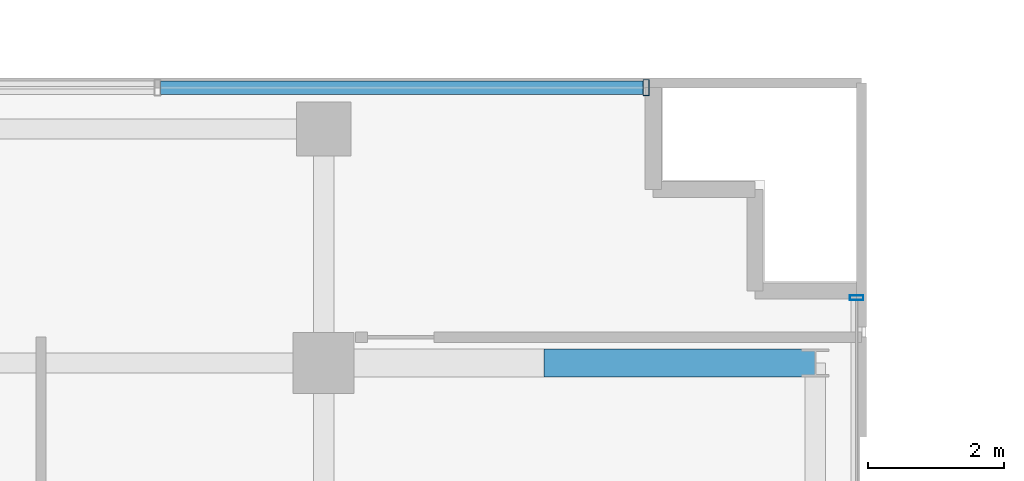
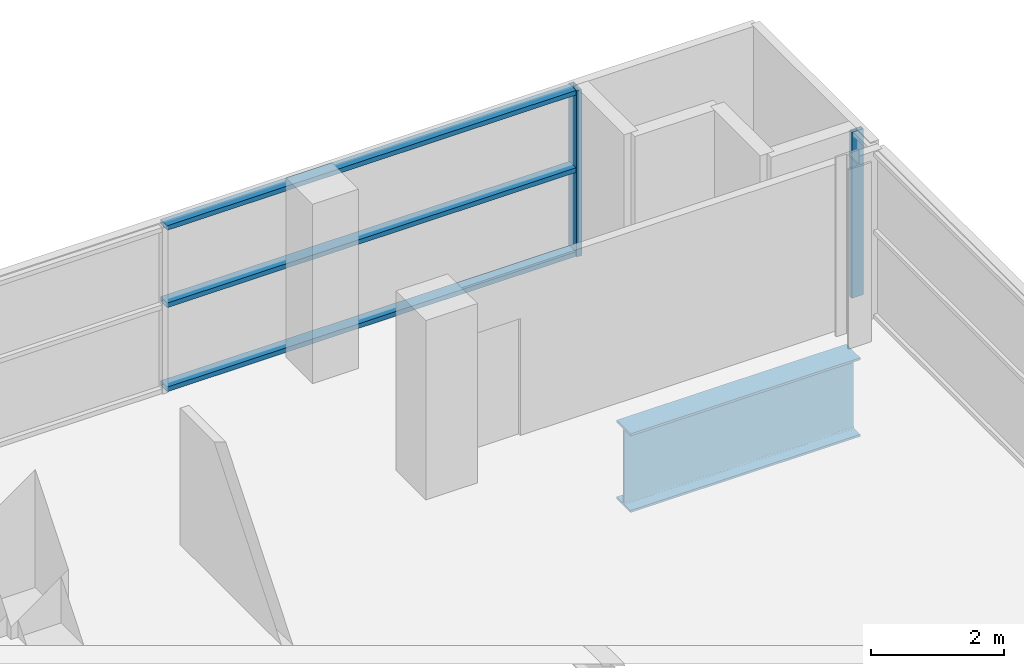
# One storey, part 16 of 27: 5 members, 1 beam, 2 elements without a shape of their own.
"""IFC4 building model written with IfcOpenShell, lengths in metres."""

from ifc_helpers import new_model, si_unit, direction, frame, origin, origin_2d, place, context, subcontext, project, spatial, hollow_rectangle, i_section, extrude, source, transform, mapped, material, layer, layer_set, material_profile, profile_set, type_object, element, aggregate, save


model = new_model("IFC4")

# Units and contexts
model_context = context("Model", 3, precision=1e-05, world=origin(), true_north=direction((0.0, 1.0)))
body_context = subcontext(model_context, "Body", "Model", "MODEL_VIEW")
ifc_project = project(units=[si_unit("LENGTHUNIT", "METRE"), si_unit("AREAUNIT", "SQUARE_METRE"), si_unit("VOLUMEUNIT", "CUBIC_METRE"), si_unit("PLANEANGLEUNIT", "RADIAN"), si_unit("MASSUNIT", "GRAM", prefix="KILO")], contexts=[model_context])

# Site, building, storey
site_placement = place(None, origin())
site = spatial("IfcSite", under=ifc_project, at=site_placement, CompositionType="ELEMENT")
building_placement = place(site_placement, origin())
building = spatial("IfcBuilding", under=site, at=building_placement, Name="Zarnakvel Exchange Tower", CompositionType="ELEMENT")
storey_placement = place(building_placement, frame((0.0, 0.0, 113.199951171875)))
storey = spatial("IfcBuildingStorey", under=building, at=storey_placement, Name="L31", CompositionType="ELEMENT", Elevation=113.199951171875)

# Beam
ifc_material_1 = material(Name="Steel S460", Category="steel")
ifc_material_profile_1 = material_profile(ifc_material_1, i_section(OverallWidth=0.419921875, OverallDepth=1.449951171875, WebThickness=0.02392578125, FlangeThickness=0.0400390625, FilletRadius=0.030029296875, at=origin_2d()))
ifc_profile_set_1 = profile_set([ifc_material_profile_1], Name="Steel S460")
beam_type = type_object("IfcBeamType", Name="TG-01", PredefinedType="BEAM", material=ifc_profile_set_1)
beam_placement = place(storey_placement, frame((24.85009765625, 13.5, -0.949951171875), z_axis=(1.0, 0.0, 0.0), x_axis=(0.0, 1.0, 0.0)))
element("IfcBeam", 1, at=beam_placement, inside=storey, type_object=beam_type, Name="L31 Block-Shift Cantilever Transfer TE-F", PredefinedType="BEAM", context=body_context, shape_type="SweptSolid", body=[
    extrude(i_section(OverallWidth=0.419921875, OverallDepth=1.449951171875, WebThickness=0.02392578125, FlangeThickness=0.0400390625, FilletRadius=0.030029296875, at=origin_2d()), origin(), (0.0, 0.0, 1.0), 4.0),
])

# Curtain wall, member
ifc_material_2 = material(Name="Architectural Bronze Anodised Aluminium", Category="aluminium")
ifc_layer_1 = layer(ifc_material_2, 0.239990234375)
ifc_layer_set_1 = layer_set([ifc_layer_1], Name="Architectural Bronze Anodised Aluminium")
curtain_wall_type_1 = type_object("IfcCurtainWallType", Name="CW-02", PredefinedType="NOTDEFINED", material=ifc_layer_set_1)
curtain_wall_1_placement = place(storey_placement, origin())
curtain_wall_1 = element("IfcCurtainWall", 2, at=curtain_wall_1_placement, inside=storey, type_object=curtain_wall_type_1, Name="L31 Curtain Wall CW-L31-N1 (CW-02)", PredefinedType="NOTDEFINED")
ifc_material_profile_2 = material_profile(ifc_material_2, hollow_rectangle(XDim=0.239990234375, YDim=0.090087890625, WallThickness=0.006103515625, at=origin_2d()))
ifc_profile_set_2 = profile_set([ifc_material_profile_2], Name="Architectural Bronze Anodised Aluminium")
member_type_1 = type_object("IfcMemberType", Name="CWM-02", PredefinedType="MULLION", material=ifc_profile_set_2)
shared_shape_1 = source(origin(), body_context, "Body", "SweptSolid", [
    extrude(hollow_rectangle(XDim=0.239990234375, YDim=0.090087890625, WallThickness=0.006103515625, at=origin_2d()), origin(), (0.0, 0.0, 1.0), 3.054931640625),
])
member_1_placement = place(storey_placement, frame((26.35498046875, 17.56005859375, 0.0), z_axis=(0.0, 0.0, 1.0), x_axis=(0.0, 1.0, 0.0)))
member_1 = element("IfcMember", 3, at=member_1_placement, type_object=member_type_1, Name="CW-02 mullion 4", PredefinedType="MULLION", context=body_context, shape_type="MappedRepresentation", body=[
    mapped(shared_shape_1, transform((0.0, 0.0, 0.0), x_axis=(1.0, 0.0, 0.0), y_axis=(0.0, 1.0, 0.0), z_axis=(0.0, 0.0, 1.0), scale=1.0)),
])

ifc_layer_2 = layer(ifc_material_2, 0.199951171875)
ifc_layer_set_2 = layer_set([ifc_layer_2], Name="Architectural Bronze Anodised Aluminium")
curtain_wall_type_2 = type_object("IfcCurtainWallType", Name="CW-04", PredefinedType="NOTDEFINED", material=ifc_layer_set_2)
curtain_wall_2_placement = place(storey_placement, origin())
curtain_wall_2 = element("IfcCurtainWall", 4, at=curtain_wall_2_placement, inside=storey, type_object=curtain_wall_type_2, Name="L31 Curtain Wall CW-L31-EN (CW-04)", PredefinedType="NOTDEFINED")
ifc_material_profile_3 = material_profile(ifc_material_2, hollow_rectangle(XDim=0.199951171875, YDim=0.074951171875, WallThickness=0.0048828125, at=origin_2d()))
ifc_profile_set_3 = profile_set([ifc_material_profile_3], Name="Architectural Bronze Anodised Aluminium")
member_type_2 = type_object("IfcMemberType", Name="CWM-04", PredefinedType="MULLION", material=ifc_profile_set_3)
shared_shape_2 = source(origin(), body_context, "Body", "SweptSolid", [
    extrude(hollow_rectangle(XDim=0.199951171875, YDim=0.074951171875, WallThickness=0.0048828125, at=origin_2d()), origin(), (0.0, 0.0, 1.0), 3.054931640625),
])
member_2_placement = place(storey_placement, frame((29.4599609375, 14.46240234375, 0.0), z_axis=(0.0, 0.0, 1.0), x_axis=(-1.0, 0.0, 0.0)))
member_2 = element("IfcMember", 5, at=member_2_placement, type_object=member_type_2, Name="CW-04 mullion 3", PredefinedType="MULLION", context=body_context, shape_type="MappedRepresentation", body=[
    mapped(shared_shape_2, transform((0.0, 0.0, 0.0), x_axis=(1.0, 0.0, 0.0), y_axis=(0.0, 1.0, 0.0), z_axis=(0.0, 0.0, 1.0), scale=1.0)),
])
aggregate(curtain_wall_2, [member_2])

# Member
ifc_material_profile_4 = material_profile(ifc_material_2, hollow_rectangle(XDim=0.199951171875, YDim=0.0849609375, WallThickness=0.0048828125, at=origin_2d()))
ifc_profile_set_4 = profile_set([ifc_material_profile_4], Name="Architectural Bronze Anodised Aluminium")
member_type_3 = type_object("IfcMemberType", Name="CWT-02", PredefinedType="USERDEFINED", material=ifc_profile_set_4)
shared_shape_3 = source(origin(), body_context, "Body", "SweptSolid", [
    extrude(hollow_rectangle(XDim=0.199951171875, YDim=0.0849609375, WallThickness=0.0048828125, at=origin_2d()), origin(), (0.0, 0.0, 1.0), 7.114990234375),
])
member_3_placement = place(storey_placement, frame((19.195068359375, 17.56005859375, 0.04248046875), z_axis=(1.0, 0.0, 0.0), x_axis=(0.0, 1.0, 0.0)))
member_3 = element("IfcMember", 6, at=member_3_placement, type_object=member_type_3, Name="CW-02 transom 3.1", ObjectType="TRANSOM", PredefinedType="USERDEFINED", context=body_context, shape_type="MappedRepresentation", body=[
    mapped(shared_shape_3, transform((0.0, 0.0, 0.0), x_axis=(1.0, 0.0, 0.0), y_axis=(0.0, 1.0, 0.0), z_axis=(0.0, 0.0, 1.0), scale=1.0)),
])

member_4_placement = place(storey_placement, frame((19.195068359375, 17.56005859375, 1.588623046875), z_axis=(1.0, 0.0, 0.0), x_axis=(0.0, 1.0, 0.0)))
member_4 = element("IfcMember", 7, at=member_4_placement, type_object=member_type_3, Name="CW-02 transom 3.2", ObjectType="TRANSOM", PredefinedType="USERDEFINED", context=body_context, shape_type="MappedRepresentation", body=[
    mapped(shared_shape_3, transform((0.0, 0.0, 0.0), x_axis=(1.0, 0.0, 0.0), y_axis=(0.0, 1.0, 0.0), z_axis=(0.0, 0.0, 1.0), scale=1.0)),
])

member_5_placement = place(storey_placement, frame((19.195068359375, 17.56005859375, 3.012451171875), z_axis=(1.0, 0.0, 0.0), x_axis=(0.0, 1.0, 0.0)))
member_5 = element("IfcMember", 8, at=member_5_placement, type_object=member_type_3, Name="CW-02 transom 3.3", ObjectType="TRANSOM", PredefinedType="USERDEFINED", context=body_context, shape_type="MappedRepresentation", body=[
    mapped(shared_shape_3, transform((0.0, 0.0, 0.0), x_axis=(1.0, 0.0, 0.0), y_axis=(0.0, 1.0, 0.0), z_axis=(0.0, 0.0, 1.0), scale=1.0)),
])

aggregate(curtain_wall_1, [member_1, member_3, member_4, member_5])

save(model, "model.ifc")
